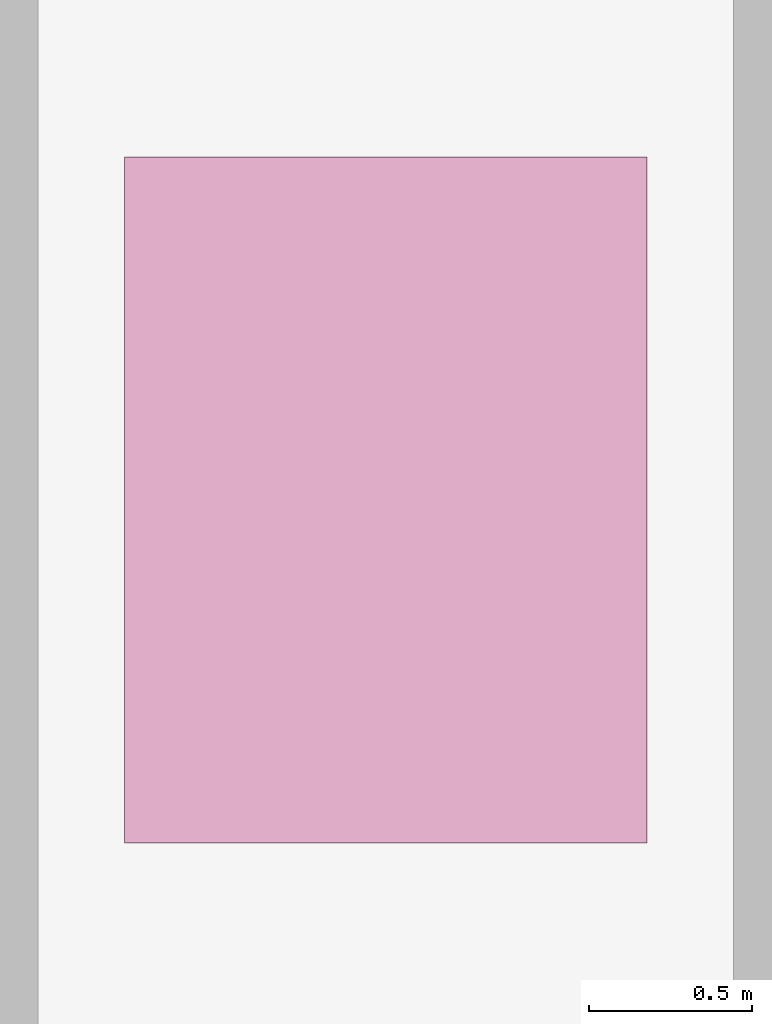
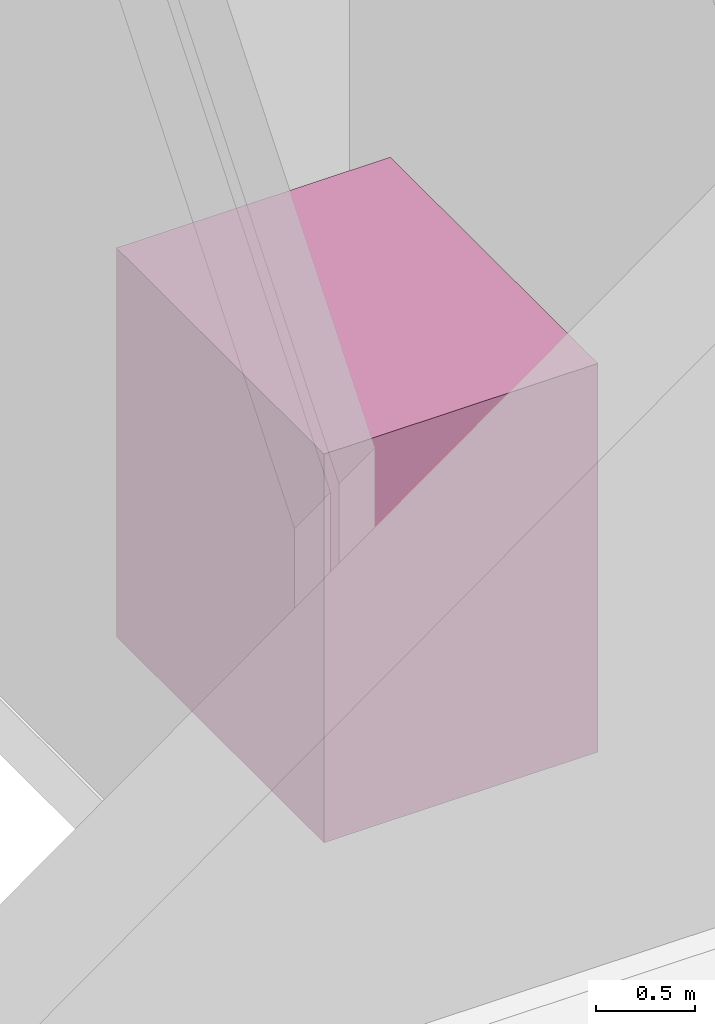
# One storey, part 90 of 90: 1 transport element.
"""IFC4 building model written with IfcOpenShell, lengths in metres."""

import ifcopenshell
import ifcopenshell.guid

model = None  # the IFC model being written
_history = None  # IfcOwnerHistory: only IFC2X3 demands one
_inside = {}  # id of a spatial element -> (the spatial element, [elements in it])
_under = {}  # id of a project, library or spatial element -> (it, [spatial elements below it])
_declared = {}  # id of a project -> (the project, [libraries it declares])
_typed = {}  # id of a type object -> (the type object, [elements of that type])
_made_of = {}  # id of a material, layer set ... -> (it, [elements and type objects made of it])


def new_model(schema):
    """Start an empty IFC model of exactly this schema.

    Asked for "IFC4X3", IfcOpenShell would pick the latest addendum, in which some entities
    have other attributes; the version numbers below select the first issue.
    IFC2X3 requires an IfcOwnerHistory on every rooted entity: one is made here for all.
    """
    global model, _history
    if schema == "IFC4X3":
        model = ifcopenshell.file(schema_version=(4, 3, 0, 0))
    else:
        model = ifcopenshell.file(schema=schema)
    _inside.clear()
    _under.clear()
    _declared.clear()
    _typed.clear()
    _made_of.clear()
    _history = None
    if model.schema == "IFC2X3":
        org = make("IfcOrganization", Name="unknown")
        user = make(
            "IfcPersonAndOrganization",
            ThePerson=make("IfcPerson", FamilyName="unknown"),
            TheOrganization=org,
        )
        app = make(
            "IfcApplication",
            ApplicationDeveloper=org,
            Version="unknown",
            ApplicationFullName="unknown",
            ApplicationIdentifier="unknown",
        )
        _history = make(
            "IfcOwnerHistory",
            OwningUser=user,
            OwningApplication=app,
            ChangeAction="ADDED",
            CreationDate=0,
        )
    return model


def make(cls, **values):
    """One entity of the class cls with the attributes given. An attribute that is None is left unset."""
    return model.create_entity(
        cls, **{name: value for name, value in values.items() if value is not None}
    )


def rooted(cls, **values):
    """An entity with a GlobalId (a new one), such as an element, a storey or a relation."""
    return make(cls, GlobalId=ifcopenshell.guid.new(), OwnerHistory=_history, **values)


def si_unit(unit_type, name, prefix=None):
    """IfcSIUnit, for example si_unit("LENGTHUNIT", "METRE", prefix="MILLI")."""
    return make("IfcSIUnit", UnitType=unit_type, Prefix=prefix, Name=name)


def assignment(units):
    """IfcUnitAssignment: the units of a project."""
    return None if units is None else make("IfcUnitAssignment", Units=units)


def point(xyz):
    """IfcCartesianPoint."""
    return None if xyz is None else make("IfcCartesianPoint", Coordinates=xyz)


def direction(xyz):
    """IfcDirection."""
    return None if xyz is None else make("IfcDirection", DirectionRatios=xyz)


def frame(location, z_axis=None, x_axis=None):
    """IfcAxis2Placement3D, a coordinate frame: its origin and axes. An axis left out is left unset."""
    return make(
        "IfcAxis2Placement3D",
        Location=point(location),
        Axis=direction(z_axis),
        RefDirection=direction(x_axis),
    )


def frame_2d(location, x_axis=None):
    """IfcAxis2Placement2D, a coordinate frame in the plane: its origin and x axis."""
    return make(
        "IfcAxis2Placement2D", Location=point(location), RefDirection=direction(x_axis)
    )


def origin():
    """The frame at (0, 0, 0) with its axes left unset."""
    return frame((0.0, 0.0, 0.0))


def origin_2d():
    """The frame at (0, 0) in the plane with its x axis left unset."""
    return frame_2d((0.0, 0.0))


def place(relative_to, where):
    """IfcLocalPlacement: puts the frame where relative to a parent placement (None: the world)."""
    return make(
        "IfcLocalPlacement", PlacementRelTo=relative_to, RelativePlacement=where
    )


def context(
    kind, dimensions, precision=None, world=None, true_north=None, identifier=None
):
    """IfcGeometricRepresentationContext, for example the 3D "Model" context."""
    return make(
        "IfcGeometricRepresentationContext",
        ContextIdentifier=identifier,
        ContextType=kind,
        CoordinateSpaceDimension=dimensions,
        Precision=precision,
        WorldCoordinateSystem=world,
        TrueNorth=true_north,
    )


def subcontext(parent, identifier, kind, view, scale=None):
    """IfcGeometricRepresentationSubContext, for example "Body" below "Model"."""
    return make(
        "IfcGeometricRepresentationSubContext",
        ContextIdentifier=identifier,
        ContextType=kind,
        ParentContext=parent,
        TargetScale=scale,
        TargetView=view,
    )


def project(units=None, contexts=None):
    """IfcProject with its units and contexts."""
    return rooted(
        "IfcProject",
        Name="project",
        RepresentationContexts=contexts,
        UnitsInContext=assignment(units),
    )


def spatial(cls, under=None, at=None, **own):
    """A site, building, storey or space (cls), placed at a placement, below another one or the project."""
    s = rooted(cls, ObjectPlacement=at, **own)
    if under is not None:
        _under.setdefault(under.id(), (under, []))[1].append(s)
    return s


def profile(cls, at=None, kind="AREA", **sizes):
    """A parametric profile (cls). Its sizes go by their IFC names, for example OverallWidth=200.0."""
    return make(cls, ProfileType=kind, Position=at, **sizes)


def rectangle(**sizes):
    """IfcRectangleProfileDef."""
    return profile("IfcRectangleProfileDef", **sizes)


def extrude(swept, where, along, depth):
    """IfcExtrudedAreaSolid: the profile swept, set in the frame where, extruded along a direction by depth."""
    return make(
        "IfcExtrudedAreaSolid",
        SweptArea=swept,
        Position=where,
        ExtrudedDirection=direction(along),
        Depth=depth,
    )


def shape(context_of_items, identifier, shape_type, items):
    """IfcShapeRepresentation: the items that make up one representation, for example the "Body"."""
    return make(
        "IfcShapeRepresentation",
        ContextOfItems=context_of_items,
        RepresentationIdentifier=identifier,
        RepresentationType=shape_type,
        Items=items,
    )


def material(Name=None, Category=None):
    """IfcMaterial."""
    return make("IfcMaterial", Name=Name, Category=Category)


def made_of(thing, what):
    """Note that an element or type object is made of a material, layer set ...; save() writes the relation."""
    if what is not None:
        _made_of.setdefault(what.id(), (what, []))[1].append(thing)
    return thing


def type_object(cls, material=None, **own):
    """A type object (cls), such as IfcWallType, which elements share."""
    return made_of(rooted(cls, **own), material)


def element(
    cls,
    number,
    at=None,
    inside=None,
    cuts=None,
    type_object=None,
    material=None,
    context=None,
    identifier="Body",
    shape_type=None,
    held_by="IfcProductDefinitionShape",
    body=None,
    shapes=None,
    **own,
):
    """One element of the class cls, such as IfcWall. Its Tag is "e" and its number.

    at: its placement. inside: the storey or other place that contains it. cuts: it is an
    opening in that element (IfcRelVoidsElement). A single representation is given by context,
    identifier, shape_type and body (its items); several are given by shapes. held_by: the class
    of the entity that holds the representations. save() writes the other relations.
    """
    e = rooted(cls, Tag="e%d" % number, ObjectPlacement=at, **own)
    if body is not None:
        shapes = [shape(context, identifier, shape_type, body)]
    if shapes is not None:
        e.Representation = make(held_by, Representations=shapes)
    if inside is not None:
        _inside.setdefault(inside.id(), (inside, []))[1].append(e)
    if cuts is not None:
        rooted(
            "IfcRelVoidsElement", RelatingBuildingElement=cuts, RelatedOpeningElement=e
        )
    if type_object is not None:
        _typed.setdefault(type_object.id(), (type_object, []))[1].append(e)
    return made_of(e, material)


def aggregate(whole, parts):
    """IfcRelAggregates: a whole, such as a stair, and the parts it consists of."""
    return rooted("IfcRelAggregates", RelatingObject=whole, RelatedObjects=parts)


def save(model, path):
    """Write the relations noted so far, then the file.

    IfcRelAggregates (storeys below a building ...), IfcRelContainedInSpatialStructure (elements
    in a storey), IfcRelDefinesByType, IfcRelAssociatesMaterial and IfcRelDeclares: one each for
    every whole, place, type object, material and project.
    """
    for whole, parts in _under.values():
        aggregate(whole, parts)
    for where, things in _inside.values():
        rooted(
            "IfcRelContainedInSpatialStructure",
            RelatedElements=things,
            RelatingStructure=where,
        )
    for kind, things in _typed.values():
        rooted("IfcRelDefinesByType", RelatedObjects=things, RelatingType=kind)
    for what, things in _made_of.values():
        rooted("IfcRelAssociatesMaterial", RelatedObjects=things, RelatingMaterial=what)
    for by, libraries in _declared.values():
        rooted("IfcRelDeclares", RelatingContext=by, RelatedDefinitions=libraries)
    model.write(path)


model = new_model("IFC4")

# Units and contexts
model_context = context("Model", 3, precision=1e-05, world=origin(), true_north=direction((0.0, 1.0)))
body_context = subcontext(model_context, "Body", "Model", "MODEL_VIEW")
ifc_project = project(units=[si_unit("LENGTHUNIT", "METRE"), si_unit("AREAUNIT", "SQUARE_METRE"), si_unit("VOLUMEUNIT", "CUBIC_METRE"), si_unit("PLANEANGLEUNIT", "RADIAN"), si_unit("MASSUNIT", "GRAM", prefix="KILO")], contexts=[model_context])

# Site, building, storey
site_placement = place(None, origin())
site = spatial("IfcSite", under=ifc_project, at=site_placement, CompositionType="ELEMENT")
building_placement = place(site_placement, origin())
building = spatial("IfcBuilding", under=site, at=building_placement, Name="Solvikara Media Centre", CompositionType="ELEMENT")
storey_placement = place(building_placement, origin())
storey = spatial("IfcBuildingStorey", under=building, at=storey_placement, Name="L00", CompositionType="ELEMENT", Elevation=0.0)

# Transport element
ifc_material = material(Name="Steel S355JR", Category="steel")
transport_element_type = type_object("IfcTransportElementType", Name="LF-T2", PredefinedType="ELEVATOR", material=ifc_material)
transport_element_placement = place(storey_placement, frame((41.0, 26.425048828125, 0.050048828125), z_axis=(0.0, 0.0, 1.0), x_axis=(1.0, 0.0, 0.0)))
element("IfcTransportElement", 1, at=transport_element_placement, inside=storey, type_object=transport_element_type, Name="LF-P2", PredefinedType="ELEVATOR", context=body_context, shape_type="SweptSolid", body=[
    extrude(rectangle(XDim=1.60009765625, YDim=2.10009765625, at=origin_2d()), origin(), (0.0, 0.0, 1.0), 2.39990234375),
])

save(model, "model.ifc")
